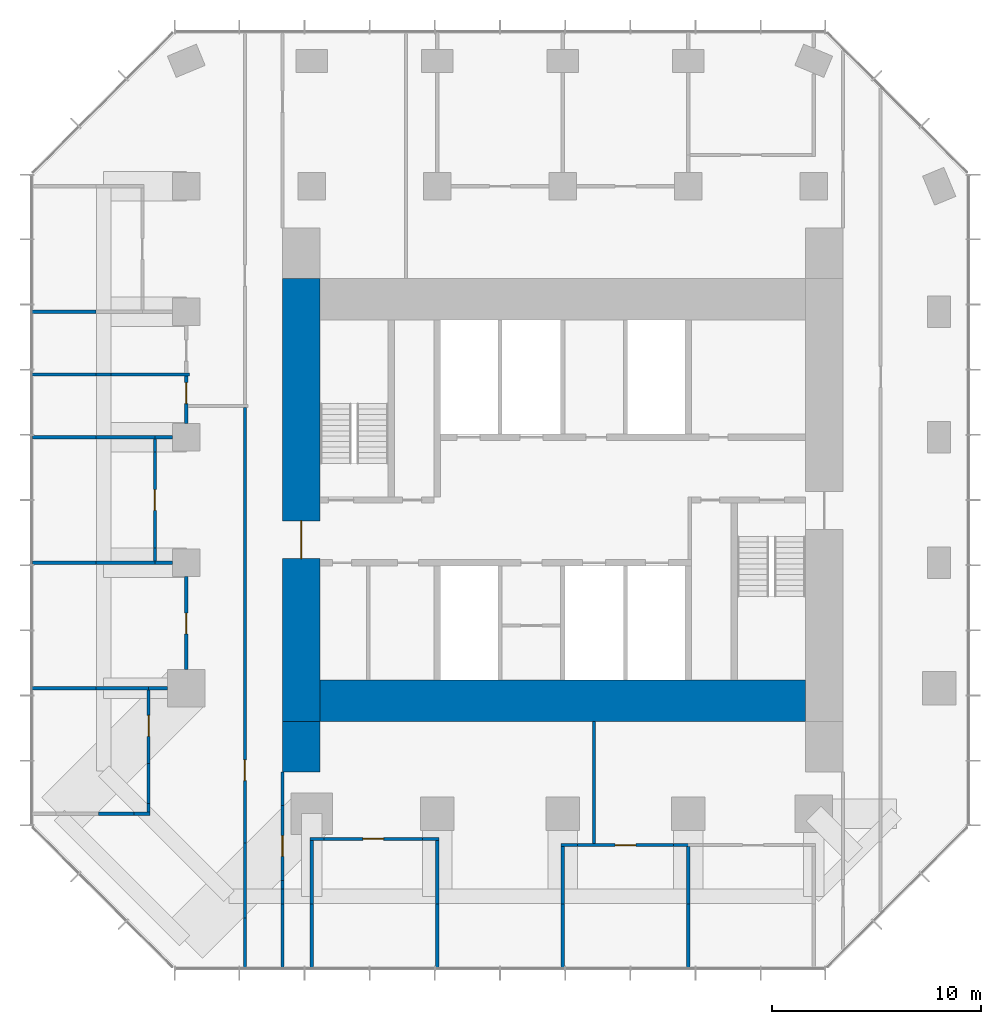
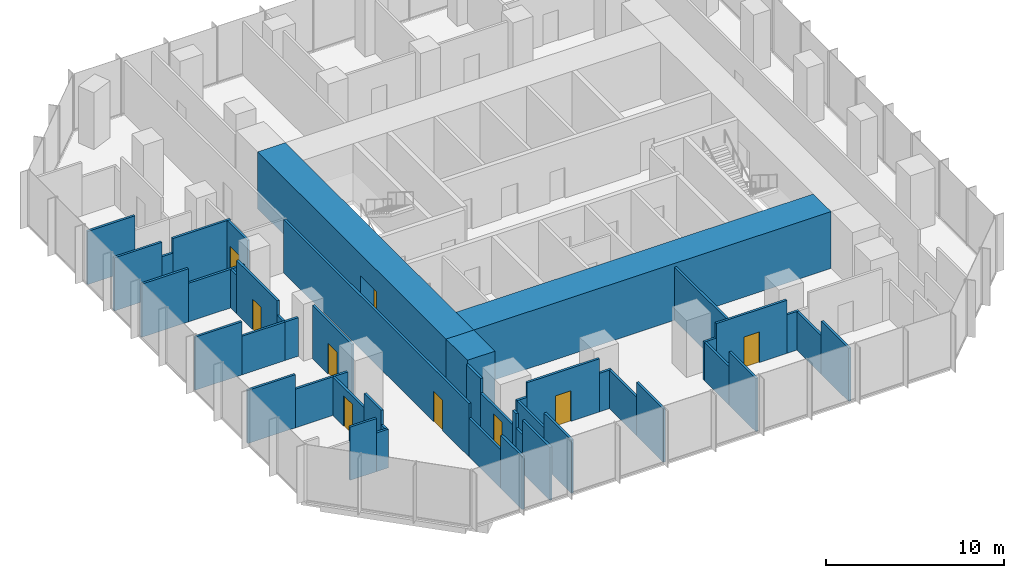
# One storey, part 8 of 11: 49 walls, 9 doors, 9 openings.
"""IFC4 building model written with IfcOpenShell, lengths in metres."""

from ifc_helpers import new_model, si_unit, direction, frame, frame_2d, origin, place, context, subcontext, project, spatial, rectangle, extrude, material, layer, layer_set, type_object, element, fill, save


model = new_model("IFC4")

# Units and contexts
model_context = context("Model", 3, precision=1e-05, world=origin(), true_north=direction((0.0, 1.0)))
body_context = subcontext(model_context, "Body", "Model", "MODEL_VIEW")
ifc_project = project(units=[si_unit("LENGTHUNIT", "METRE"), si_unit("AREAUNIT", "SQUARE_METRE"), si_unit("VOLUMEUNIT", "CUBIC_METRE"), si_unit("PLANEANGLEUNIT", "RADIAN"), si_unit("MASSUNIT", "GRAM", prefix="KILO")], contexts=[model_context])

# Site, building, storey
site_placement = place(None, origin())
site = spatial("IfcSite", under=ifc_project, at=site_placement, CompositionType="ELEMENT")
building_placement = place(site_placement, origin())
building = spatial("IfcBuilding", under=site, at=building_placement, Name="Highveld Stack Headquarters", CompositionType="ELEMENT")
storey_placement = place(building_placement, frame((0.0, 0.0, 220.10009765625)))
storey = spatial("IfcBuildingStorey", under=building, at=storey_placement, Name="L54", CompositionType="ELEMENT", Elevation=220.10009765625)

# Wall, opening, door
ifc_material_1 = material(Name="Concrete C60/75", Category="concrete")
ifc_layer_1 = layer(ifc_material_1, 1.800048828125)
ifc_layer_set_1 = layer_set([ifc_layer_1], Name="Concrete C60/75")
wall_type_1 = type_object("IfcWallType", Name="CORE WALL 1800 C60/75", PredefinedType="SHEAR", material=ifc_layer_set_1)
wall_1_placement = place(storey_placement, frame((-6.5, -7.60009765625, 0.0), z_axis=(0.0, 0.0, 1.0), x_axis=(0.0, 1.0, 0.0)))
wall_1 = element("IfcWall", 1, at=wall_1_placement, inside=storey, type_object=wall_type_1, Name="Core wall W L54", PredefinedType="SHEAR", context=body_context, shape_type="SweptSolid", body=[
    extrude(rectangle(XDim=21.2001953125, YDim=1.800048828125, at=frame_2d((10.60009765625, 0.0))), origin(), (0.0, 0.0, 1.0), 3.89990234375),
])
opening_1_placement = place(wall_1_placement, frame((7.800048828125, 0.0, 0.0)))
opening_1 = element("IfcOpeningElement", 2, at=opening_1_placement, cuts=wall_1, Name="Opening L54-01", PredefinedType="OPENING", context=body_context, shape_type="SweptSolid", body=[
    extrude(rectangle(XDim=1.800048828125, YDim=2.39990234375, at=frame_2d((0.89990234375, 1.199951171875))), frame((0.0, 0.909912109375, 0.0), z_axis=(0.0, -1.0, 0.0), x_axis=(1.0, 0.0, 0.0)), (0.0, 0.0, 1.0), 1.820068359375),
])
ifc_material_2 = material(Name="Steel fire door", Category="steel")
door_type_1 = type_object("IfcDoorType", Name="LOBBY FIRE DOOR D4 1800x2400", OperationType="DOUBLE_DOOR_SINGLE_SWING", PredefinedType="DOOR", material=ifc_material_2)
door_1_placement = place(opening_1_placement, origin())
door_1 = element("IfcDoor", 3, at=door_1_placement, inside=storey, type_object=door_type_1, Name="Core west door L54", OperationType="DOUBLE_DOOR_SINGLE_SWING", OverallHeight=2.39990234375, OverallWidth=1.800048828125, PredefinedType="DOOR", context=body_context, shape_type="SweptSolid", body=[
    extrude(rectangle(XDim=1.800048828125, YDim=2.39990234375, at=frame_2d((0.89990234375, 1.199951171875))), frame((0.0, 0.02490234375, 0.0), z_axis=(0.0, -1.0, 0.0), x_axis=(1.0, 0.0, 0.0)), (0.0, 0.0, 1.0), 0.050048828125),
])
fill(opening_1, door_1)

# Walls
ifc_material_3 = material(Name="Concrete C60/75", Category="concrete")
ifc_layer_2 = layer(ifc_material_3, 2.0)
ifc_layer_set_2 = layer_set([ifc_layer_2], Name="Concrete C60/75")
wall_type_2 = type_object("IfcWallType", Name="CORE WALL 2000 C60/75", PredefinedType="SHEAR", material=ifc_layer_set_2)
wall_2_placement = place(storey_placement, frame((-5.60009765625, -6.60009765625, 0.0), z_axis=(0.0, 0.0, 1.0), x_axis=(1.0, 0.0, 0.0)))
element("IfcWall", 4, at=wall_2_placement, inside=storey, type_object=wall_type_2, Name="Core wall S L54", PredefinedType="SHEAR", context=body_context, shape_type="SweptSolid", body=[
    extrude(rectangle(XDim=23.2001953125, YDim=2.0, at=frame_2d((11.60009765625, 0.0))), origin(), (0.0, 0.0, 1.0), 3.89990234375),
])
ifc_material_4 = material(Name="Concrete C60/75", Category="concrete")
ifc_layer_3 = layer(ifc_material_4, 1.800048828125)
ifc_layer_set_3 = layer_set([ifc_layer_3], Name="Concrete C60/75")
wall_type_3 = type_object("IfcWallType", Name="CORE WING WALL 1800 C60/75", PredefinedType="SHEAR", material=ifc_layer_set_3)
wall_3_placement = place(storey_placement, frame((-6.5, -10.0, 0.0), z_axis=(0.0, 0.0, 1.0), x_axis=(0.0, 1.0, 0.0)))
element("IfcWall", 5, at=wall_3_placement, inside=storey, type_object=wall_type_3, Name="Core wing wall WS L54", PredefinedType="SHEAR", context=body_context, shape_type="SweptSolid", body=[
    extrude(rectangle(XDim=2.39990234375, YDim=1.800048828125, at=frame_2d((1.199951171875, 0.0))), origin(), (0.0, 0.0, 1.0), 3.89990234375),
])
ifc_material_5 = material(Name="Gypsum plasterboard on steel studs", Category="steel")
ifc_layer_4 = layer(ifc_material_5, 0.14990234375)
ifc_layer_set_4 = layer_set([ifc_layer_4], Name="Gypsum plasterboard on steel studs")
wall_type_4 = type_object("IfcWallType", Name="PARTITION 150 PLASTERBOARD", PredefinedType="PARTITIONING", material=ifc_layer_set_4)
wall_4_placement = place(storey_placement, frame((5.925048828125, -13.5, 0.0), z_axis=(0.0, 0.0, 1.0), x_axis=(1.0, 0.0, 0.0)))
element("IfcWall", 6, at=wall_4_placement, inside=storey, type_object=wall_type_4, Name="Partition Quiet room L54", PredefinedType="PARTITIONING", context=body_context, shape_type="SweptSolid", body=[
    extrude(rectangle(XDim=0.784912109375, YDim=0.14990234375, at=frame_2d((0.392578125, 0.0))), origin(), (0.0, 0.0, 1.0), 2.64990234375),
])

# Wall, opening, door
wall_5_placement = place(storey_placement, frame((6.7099609375, -13.5, 0.0), z_axis=(0.0, 0.0, 1.0), x_axis=(1.0, 0.0, 0.0)))
wall_5 = element("IfcWall", 7, at=wall_5_placement, inside=storey, type_object=wall_type_4, Name="Partition Quiet room L54", PredefinedType="PARTITIONING", context=body_context, shape_type="SweptSolid", body=[
    extrude(rectangle(XDim=4.580078125, YDim=0.14990234375, at=frame_2d((2.2900390625, 0.0))), origin(), (0.0, 0.0, 1.0), 3.64990234375),
])
opening_2_placement = place(wall_5_placement, frame((1.7900390625, 0.0, 0.0)))
opening_2 = element("IfcOpeningElement", 8, at=opening_2_placement, cuts=wall_5, Name="Opening L54-14", PredefinedType="OPENING", context=body_context, shape_type="SweptSolid", body=[
    extrude(rectangle(XDim=1.0, YDim=2.10009765625, at=frame_2d((0.5, 1.050048828125))), frame((0.0, 0.0849609375, 0.0), z_axis=(0.0, -1.0, 0.0), x_axis=(1.0, 0.0, 0.0)), (0.0, 0.0, 1.0), 0.169921875),
])
ifc_material_6 = material(Name="Timber door, oiled ash", Category="wood")
door_type_2 = type_object("IfcDoorType", Name="ROOM DOOR D6 1000x2100", OperationType="SINGLE_SWING_LEFT", PredefinedType="DOOR", material=ifc_material_6)
door_2_placement = place(opening_2_placement, origin())
door_2 = element("IfcDoor", 9, at=door_2_placement, inside=storey, type_object=door_type_2, Name="Quiet room door 1 L54", OperationType="SINGLE_SWING_LEFT", OverallHeight=2.10009765625, OverallWidth=1.0, PredefinedType="DOOR", context=body_context, shape_type="SweptSolid", body=[
    extrude(rectangle(XDim=1.0, YDim=2.10009765625, at=frame_2d((0.5, 1.050048828125))), frame((0.0, 0.02490234375, 0.0), z_axis=(0.0, -1.0, 0.0), x_axis=(1.0, 0.0, 0.0)), (0.0, 0.0, 1.0), 0.050048828125),
])
fill(opening_2, door_2)

# Walls
wall_6_placement = place(storey_placement, frame((11.2900390625, -13.5, 0.0), z_axis=(0.0, 0.0, 1.0), x_axis=(1.0, 0.0, 0.0)))
element("IfcWall", 10, at=wall_6_placement, inside=storey, type_object=wall_type_4, Name="Partition Quiet room L54", PredefinedType="PARTITIONING", context=body_context, shape_type="SweptSolid", body=[
    extrude(rectangle(XDim=0.784912109375, YDim=0.14990234375, at=frame_2d((0.392578125, 0.0))), origin(), (0.0, 0.0, 1.0), 2.64990234375),
])
wall_7_placement = place(storey_placement, frame((-6.074951171875, -13.199951171875, 0.0), z_axis=(0.0, 0.0, 1.0), x_axis=(1.0, 0.0, 0.0)))
element("IfcWall", 11, at=wall_7_placement, inside=storey, type_object=wall_type_4, Name="Partition Tea kitchen L54", PredefinedType="PARTITIONING", context=body_context, shape_type="SweptSolid", body=[
    extrude(rectangle(XDim=0.6669921875, YDim=0.14990234375, at=frame_2d((0.33349609375, 0.0))), origin(), (0.0, 0.0, 1.0), 2.64990234375),
])

# Wall, opening, door
wall_8_placement = place(storey_placement, frame((-5.407958984375, -13.199951171875, 0.0), z_axis=(0.0, 0.0, 1.0), x_axis=(1.0, 0.0, 0.0)))
wall_8 = element("IfcWall", 12, at=wall_8_placement, inside=storey, type_object=wall_type_4, Name="Partition Tea kitchen L54", PredefinedType="PARTITIONING", context=body_context, shape_type="SweptSolid", body=[
    extrude(rectangle(XDim=4.697998046875, YDim=0.14990234375, at=frame_2d((2.34912109375, 0.0))), origin(), (0.0, 0.0, 1.0), 3.64990234375),
])
opening_3_placement = place(wall_8_placement, frame((1.84912109375, 0.0, 0.0)))
opening_3 = element("IfcOpeningElement", 13, at=opening_3_placement, cuts=wall_8, Name="Opening L54-13", PredefinedType="OPENING", context=body_context, shape_type="SweptSolid", body=[
    extrude(rectangle(XDim=1.0, YDim=2.10009765625, at=frame_2d((0.5, 1.050048828125))), frame((0.0, 0.0849609375, 0.0), z_axis=(0.0, -1.0, 0.0), x_axis=(1.0, 0.0, 0.0)), (0.0, 0.0, 1.0), 0.169921875),
])
door_3_placement = place(opening_3_placement, origin())
door_3 = element("IfcDoor", 14, at=door_3_placement, inside=storey, type_object=door_type_2, Name="Tea kitchen door 1 L54", OperationType="SINGLE_SWING_RIGHT", OverallHeight=2.10009765625, OverallWidth=1.0, PredefinedType="DOOR", context=body_context, shape_type="SweptSolid", body=[
    extrude(rectangle(XDim=1.0, YDim=2.10009765625, at=frame_2d((0.5, 1.050048828125))), frame((0.0, 0.02490234375, 0.0), z_axis=(0.0, -1.0, 0.0), x_axis=(1.0, 0.0, 0.0)), (0.0, 0.0, 1.0), 0.050048828125),
])
fill(opening_3, door_3)

# Walls
wall_9_placement = place(storey_placement, frame((-0.7099609375, -13.199951171875, 0.0), z_axis=(0.0, 0.0, 1.0), x_axis=(1.0, 0.0, 0.0)))
element("IfcWall", 15, at=wall_9_placement, inside=storey, type_object=wall_type_4, Name="Partition Tea kitchen L54", PredefinedType="PARTITIONING", context=body_context, shape_type="SweptSolid", body=[
    extrude(rectangle(XDim=0.784912109375, YDim=0.14990234375, at=frame_2d((0.392578125, 0.0))), origin(), (0.0, 0.0, 1.0), 2.64990234375),
])
wall_10_placement = place(storey_placement, frame((-16.2080078125, -12.0, 0.0), z_axis=(0.0, 0.0, 1.0), x_axis=(1.0, 0.0, 0.0)))
element("IfcWall", 16, at=wall_10_placement, inside=storey, type_object=wall_type_4, Name="Partition Print room L54", PredefinedType="PARTITIONING", context=body_context, shape_type="SweptSolid", body=[
    extrude(rectangle(XDim=1.718017578125, YDim=0.14990234375, at=frame_2d((0.85888671875, 0.0))), origin(), (0.0, 0.0, 1.0), 3.64990234375),
])
wall_11_placement = place(storey_placement, frame((-14.489990234375, -12.0, 0.0), z_axis=(0.0, 0.0, 1.0), x_axis=(1.0, 0.0, 0.0)))
element("IfcWall", 17, at=wall_11_placement, inside=storey, type_object=wall_type_4, Name="Partition Print room L54", PredefinedType="PARTITIONING", context=body_context, shape_type="SweptSolid", body=[
    extrude(rectangle(XDim=0.764892578125, YDim=0.14990234375, at=frame_2d((0.38232421875, 0.0))), origin(), (0.0, 0.0, 1.0), 2.64990234375),
])
wall_12_placement = place(storey_placement, frame((-19.39990234375, -6.0, 0.0), z_axis=(0.0, 0.0, 1.0), x_axis=(1.0, 0.0, 0.0)))
element("IfcWall", 18, at=wall_12_placement, inside=storey, type_object=wall_type_4, Name="Partition Office / Print room L54", PredefinedType="PARTITIONING", context=body_context, shape_type="SweptSolid", body=[
    extrude(rectangle(XDim=3.08984375, YDim=0.14990234375, at=frame_2d((1.544921875, 0.0))), origin(), (0.0, 0.0, 1.0), 3.64990234375),
])
wall_13_placement = place(storey_placement, frame((-16.31005859375, -6.0, 0.0), z_axis=(0.0, 0.0, 1.0), x_axis=(1.0, 0.0, 0.0)))
element("IfcWall", 19, at=wall_13_placement, inside=storey, type_object=wall_type_4, Name="Partition Office / Print room L54", PredefinedType="PARTITIONING", context=body_context, shape_type="SweptSolid", body=[
    extrude(rectangle(XDim=2.5849609375, YDim=0.14990234375, at=frame_2d((1.29248046875, 0.0))), origin(), (0.0, 0.0, 1.0), 2.64990234375),
])
wall_14_placement = place(storey_placement, frame((-13.800048828125, -6.0, 0.0), z_axis=(0.0, 0.0, 1.0), x_axis=(1.0, 0.0, 0.0)))
element("IfcWall", 20, at=wall_14_placement, inside=storey, type_object=wall_type_4, Name="Partition Office L54", PredefinedType="PARTITIONING", context=body_context, shape_type="SweptSolid", body=[
    extrude(rectangle(XDim=0.900146484375, YDim=0.14990234375, at=frame_2d((0.4501953125, 0.0))), origin(), (0.0, 0.0, 1.0), 2.64990234375),
])
wall_15_placement = place(storey_placement, frame((-19.35009765625, 0.0, 0.0), z_axis=(0.0, 0.0, 1.0), x_axis=(1.0, 0.0, 0.0)))
element("IfcWall", 21, at=wall_15_placement, inside=storey, type_object=wall_type_4, Name="Partition Office / Quiet room L54", PredefinedType="PARTITIONING", context=body_context, shape_type="SweptSolid", body=[
    extrude(rectangle(XDim=3.0400390625, YDim=0.14990234375, at=frame_2d((1.52001953125, 0.0))), origin(), (0.0, 0.0, 1.0), 3.64990234375),
])
wall_16_placement = place(storey_placement, frame((-16.31005859375, 0.0, 0.0), z_axis=(0.0, 0.0, 1.0), x_axis=(1.0, 0.0, 0.0)))
element("IfcWall", 22, at=wall_16_placement, inside=storey, type_object=wall_type_4, Name="Partition Office / Quiet room L54", PredefinedType="PARTITIONING", context=body_context, shape_type="SweptSolid", body=[
    extrude(rectangle(XDim=2.885009765625, YDim=0.14990234375, at=frame_2d((1.4423828125, 0.0))), origin(), (0.0, 0.0, 1.0), 2.64990234375),
])
wall_17_placement = place(storey_placement, frame((-13.5, 0.0, 0.0), z_axis=(0.0, 0.0, 1.0), x_axis=(1.0, 0.0, 0.0)))
element("IfcWall", 23, at=wall_17_placement, inside=storey, type_object=wall_type_4, Name="Partition Office L54", PredefinedType="PARTITIONING", context=body_context, shape_type="SweptSolid", body=[
    extrude(rectangle(XDim=0.85009765625, YDim=0.14990234375, at=frame_2d((0.425048828125, 0.0))), origin(), (0.0, 0.0, 1.0), 2.64990234375),
])
wall_18_placement = place(storey_placement, frame((-19.35009765625, 6.0, 0.0), z_axis=(0.0, 0.0, 1.0), x_axis=(1.0, 0.0, 0.0)))
element("IfcWall", 24, at=wall_18_placement, inside=storey, type_object=wall_type_4, Name="Partition Office / Quiet room L54", PredefinedType="PARTITIONING", context=body_context, shape_type="SweptSolid", body=[
    extrude(rectangle(XDim=3.0400390625, YDim=0.14990234375, at=frame_2d((1.52001953125, 0.0))), origin(), (0.0, 0.0, 1.0), 3.64990234375),
])
wall_19_placement = place(storey_placement, frame((-16.31005859375, 6.0, 0.0), z_axis=(0.0, 0.0, 1.0), x_axis=(1.0, 0.0, 0.0)))
element("IfcWall", 25, at=wall_19_placement, inside=storey, type_object=wall_type_4, Name="Partition Office / Quiet room L54", PredefinedType="PARTITIONING", context=body_context, shape_type="SweptSolid", body=[
    extrude(rectangle(XDim=2.885009765625, YDim=0.14990234375, at=frame_2d((1.4423828125, 0.0))), origin(), (0.0, 0.0, 1.0), 2.64990234375),
])
wall_20_placement = place(storey_placement, frame((-13.5, 6.0, 0.0), z_axis=(0.0, 0.0, 1.0), x_axis=(1.0, 0.0, 0.0)))
element("IfcWall", 26, at=wall_20_placement, inside=storey, type_object=wall_type_4, Name="Partition Office L54", PredefinedType="PARTITIONING", context=body_context, shape_type="SweptSolid", body=[
    extrude(rectangle(XDim=0.85009765625, YDim=0.14990234375, at=frame_2d((0.425048828125, 0.0))), origin(), (0.0, 0.0, 1.0), 2.64990234375),
])
wall_21_placement = place(storey_placement, frame((-19.39990234375, 9.0, 0.0), z_axis=(0.0, 0.0, 1.0), x_axis=(1.0, 0.0, 0.0)))
element("IfcWall", 27, at=wall_21_placement, inside=storey, type_object=wall_type_4, Name="Partition Office L54", PredefinedType="PARTITIONING", context=body_context, shape_type="SweptSolid", body=[
    extrude(rectangle(XDim=3.08984375, YDim=0.14990234375, at=frame_2d((1.544921875, 0.0))), origin(), (0.0, 0.0, 1.0), 3.64990234375),
])
wall_22_placement = place(storey_placement, frame((-16.31005859375, 9.0, 0.0), z_axis=(0.0, 0.0, 1.0), x_axis=(1.0, 0.0, 0.0)))
element("IfcWall", 28, at=wall_22_placement, inside=storey, type_object=wall_type_4, Name="Partition Office L54", PredefinedType="PARTITIONING", context=body_context, shape_type="SweptSolid", body=[
    extrude(rectangle(XDim=0.719970703125, YDim=0.14990234375, at=frame_2d((0.35986328125, 0.0))), origin(), (0.0, 0.0, 1.0), 2.64990234375),
])
wall_23_placement = place(storey_placement, frame((-15.590087890625, 9.0, 0.0), z_axis=(0.0, 0.0, 1.0), x_axis=(1.0, 0.0, 0.0)))
element("IfcWall", 29, at=wall_23_placement, inside=storey, type_object=wall_type_4, Name="Partition Office L54", PredefinedType="PARTITIONING", context=body_context, shape_type="SweptSolid", body=[
    extrude(rectangle(XDim=3.739990234375, YDim=0.14990234375, at=frame_2d((1.8701171875, 0.0))), origin(), (0.0, 0.0, 1.0), 3.64990234375),
])
wall_24_placement = place(storey_placement, frame((-19.39990234375, 12.0, 0.0), z_axis=(0.0, 0.0, 1.0), x_axis=(1.0, 0.0, 0.0)))
element("IfcWall", 30, at=wall_24_placement, inside=storey, type_object=wall_type_4, Name="Partition Focus room / Office L54", PredefinedType="PARTITIONING", context=body_context, shape_type="SweptSolid", body=[
    extrude(rectangle(XDim=3.08984375, YDim=0.14990234375, at=frame_2d((1.544921875, 0.0))), origin(), (0.0, 0.0, 1.0), 3.64990234375),
])
wall_25_placement = place(storey_placement, frame((-13.800048828125, -11.925048828125, 0.0), z_axis=(0.0, 0.0, 1.0), x_axis=(0.0, 1.0, 0.0)))
element("IfcWall", 31, at=wall_25_placement, inside=storey, type_object=wall_type_4, Name="Partition Print room L54", PredefinedType="PARTITIONING", context=body_context, shape_type="SweptSolid", body=[
    extrude(rectangle(XDim=0.4150390625, YDim=0.14990234375, at=frame_2d((0.20751953125, 0.0))), origin(), (0.0, 0.0, 1.0), 2.64990234375),
])
wall_26_placement = place(storey_placement, frame((-13.800048828125, -11.510009765625, 0.0), z_axis=(0.0, 0.0, 1.0), x_axis=(0.0, 1.0, 0.0)))
element("IfcWall", 32, at=wall_26_placement, inside=storey, type_object=wall_type_4, Name="Partition Print room L54", PredefinedType="PARTITIONING", context=body_context, shape_type="SweptSolid", body=[
    extrude(rectangle(XDim=1.91796875, YDim=0.14990234375, at=frame_2d((0.958984375, 0.0))), origin(), (0.0, 0.0, 1.0), 3.64990234375),
])

# Wall, opening, door
wall_27_placement = place(storey_placement, frame((-13.800048828125, -9.592041015625, 0.0), z_axis=(0.0, 0.0, 1.0), x_axis=(0.0, 1.0, 0.0)))
wall_27 = element("IfcWall", 33, at=wall_27_placement, inside=storey, type_object=wall_type_4, Name="Partition Print room L54", PredefinedType="PARTITIONING", context=body_context, shape_type="SweptSolid", body=[
    extrude(rectangle(XDim=3.51708984375, YDim=0.14990234375, at=frame_2d((1.758544921875, 0.0))), origin(), (0.0, 0.0, 1.0), 2.64990234375),
])
opening_4_placement = place(wall_27_placement, frame((1.2958984375, 0.0, 0.0)))
opening_4 = element("IfcOpeningElement", 34, at=opening_4_placement, cuts=wall_27, Name="Opening L54-16", PredefinedType="OPENING", context=body_context, shape_type="SweptSolid", body=[
    extrude(rectangle(XDim=1.0, YDim=2.10009765625, at=frame_2d((0.5, 1.050048828125))), frame((0.0, 0.0849609375, 0.0), z_axis=(0.0, -1.0, 0.0), x_axis=(1.0, 0.0, 0.0)), (0.0, 0.0, 1.0), 0.169921875),
])
door_4_placement = place(opening_4_placement, origin())
door_4 = element("IfcDoor", 35, at=door_4_placement, inside=storey, type_object=door_type_2, Name="Print room door 1 L54", OperationType="SINGLE_SWING_RIGHT", OverallHeight=2.10009765625, OverallWidth=1.0, PredefinedType="DOOR", context=body_context, shape_type="SweptSolid", body=[
    extrude(rectangle(XDim=1.0, YDim=2.10009765625, at=frame_2d((0.5, 1.050048828125))), frame((0.0, 0.02490234375, 0.0), z_axis=(0.0, -1.0, 0.0), x_axis=(1.0, 0.0, 0.0)), (0.0, 0.0, 1.0), 0.050048828125),
])
fill(opening_4, door_4)

# Wall
wall_28_placement = place(storey_placement, frame((-13.5, 0.074951171875, 0.0), z_axis=(0.0, 0.0, 1.0), x_axis=(0.0, 1.0, 0.0)))
element("IfcWall", 36, at=wall_28_placement, inside=storey, type_object=wall_type_4, Name="Partition Quiet room L54", PredefinedType="PARTITIONING", context=body_context, shape_type="SweptSolid", body=[
    extrude(rectangle(XDim=0.635009765625, YDim=0.14990234375, at=frame_2d((0.3173828125, 0.0))), origin(), (0.0, 0.0, 1.0), 2.64990234375),
])

# Wall, opening, door
wall_29_placement = place(storey_placement, frame((-13.5, 0.7099609375, 0.0), z_axis=(0.0, 0.0, 1.0), x_axis=(0.0, 1.0, 0.0)))
wall_29 = element("IfcWall", 37, at=wall_29_placement, inside=storey, type_object=wall_type_4, Name="Partition Quiet room L54", PredefinedType="PARTITIONING", context=body_context, shape_type="SweptSolid", body=[
    extrude(rectangle(XDim=4.580078125, YDim=0.14990234375, at=frame_2d((2.2900390625, 0.0))), origin(), (0.0, 0.0, 1.0), 3.64990234375),
])
opening_5_placement = place(wall_29_placement, frame((1.7900390625, 0.0, 0.0)))
opening_5 = element("IfcOpeningElement", 38, at=opening_5_placement, cuts=wall_29, Name="Opening L54-18", PredefinedType="OPENING", context=body_context, shape_type="SweptSolid", body=[
    extrude(rectangle(XDim=1.0, YDim=2.10009765625, at=frame_2d((0.5, 1.050048828125))), frame((0.0, 0.0849609375, 0.0), z_axis=(0.0, -1.0, 0.0), x_axis=(1.0, 0.0, 0.0)), (0.0, 0.0, 1.0), 0.169921875),
])
door_5_placement = place(opening_5_placement, origin())
door_5 = element("IfcDoor", 39, at=door_5_placement, inside=storey, type_object=door_type_2, Name="Quiet room door 1 L54", OperationType="SINGLE_SWING_LEFT", OverallHeight=2.10009765625, OverallWidth=1.0, PredefinedType="DOOR", context=body_context, shape_type="SweptSolid", body=[
    extrude(rectangle(XDim=1.0, YDim=2.10009765625, at=frame_2d((0.5, 1.050048828125))), frame((0.0, 0.02490234375, 0.0), z_axis=(0.0, -1.0, 0.0), x_axis=(1.0, 0.0, 0.0)), (0.0, 0.0, 1.0), 0.050048828125),
])
fill(opening_5, door_5)

# Wall
wall_30_placement = place(storey_placement, frame((-13.5, 5.2900390625, 0.0), z_axis=(0.0, 0.0, 1.0), x_axis=(0.0, 1.0, 0.0)))
element("IfcWall", 40, at=wall_30_placement, inside=storey, type_object=wall_type_4, Name="Partition Quiet room L54", PredefinedType="PARTITIONING", context=body_context, shape_type="SweptSolid", body=[
    extrude(rectangle(XDim=0.635009765625, YDim=0.14990234375, at=frame_2d((0.3173828125, 0.0))), origin(), (0.0, 0.0, 1.0), 2.64990234375),
])

# Wall, opening, door
wall_31_placement = place(storey_placement, frame((-12.0, -5.10009765625, 0.0), z_axis=(0.0, 0.0, 1.0), x_axis=(0.0, 1.0, 0.0)))
wall_31 = element("IfcWall", 41, at=wall_31_placement, inside=storey, type_object=wall_type_4, Name="Partition Office L54", PredefinedType="PARTITIONING", context=body_context, shape_type="SweptSolid", body=[
    extrude(rectangle(XDim=4.440185546875, YDim=0.14990234375, at=frame_2d((2.22021484375, 0.0))), origin(), (0.0, 0.0, 1.0), 3.64990234375),
])
opening_6_placement = place(wall_31_placement, frame((1.695068359375, 0.0, 0.0)))
opening_6 = element("IfcOpeningElement", 42, at=opening_6_placement, cuts=wall_31, Name="Opening L54-17", PredefinedType="OPENING", context=body_context, shape_type="SweptSolid", body=[
    extrude(rectangle(XDim=1.0, YDim=2.10009765625, at=frame_2d((0.5, 1.050048828125))), frame((0.0, 0.0849609375, 0.0), z_axis=(0.0, -1.0, 0.0), x_axis=(1.0, 0.0, 0.0)), (0.0, 0.0, 1.0), 0.169921875),
])
door_6_placement = place(opening_6_placement, origin())
door_6 = element("IfcDoor", 43, at=door_6_placement, inside=storey, type_object=door_type_2, Name="Office door 1 L54", OperationType="SINGLE_SWING_LEFT", OverallHeight=2.10009765625, OverallWidth=1.0, PredefinedType="DOOR", context=body_context, shape_type="SweptSolid", body=[
    extrude(rectangle(XDim=1.0, YDim=2.10009765625, at=frame_2d((0.5, 1.050048828125))), frame((0.0, 0.02490234375, 0.0), z_axis=(0.0, -1.0, 0.0), x_axis=(1.0, 0.0, 0.0)), (0.0, 0.0, 1.0), 0.050048828125),
])
fill(opening_6, door_6)

wall_32_placement = place(storey_placement, frame((-12.0, 6.659912109375, 0.0), z_axis=(0.0, 0.0, 1.0), x_axis=(0.0, 1.0, 0.0)))
wall_32 = element("IfcWall", 44, at=wall_32_placement, inside=storey, type_object=wall_type_4, Name="Partition Office L54", PredefinedType="PARTITIONING", context=body_context, shape_type="SweptSolid", body=[
    extrude(rectangle(XDim=2.26513671875, YDim=0.14990234375, at=frame_2d((1.132568359375, 0.0))), origin(), (0.0, 0.0, 1.0), 3.64990234375),
])
opening_7_placement = place(wall_32_placement, frame((0.949951171875, 0.0, 0.0)))
opening_7 = element("IfcOpeningElement", 45, at=opening_7_placement, cuts=wall_32, Name="Opening L54-19", PredefinedType="OPENING", context=body_context, shape_type="SweptSolid", body=[
    extrude(rectangle(XDim=1.0, YDim=2.10009765625, at=frame_2d((0.5, 1.050048828125))), frame((0.0, 0.0849609375, 0.0), z_axis=(0.0, -1.0, 0.0), x_axis=(1.0, 0.0, 0.0)), (0.0, 0.0, 1.0), 0.169921875),
])
door_7_placement = place(opening_7_placement, origin())
door_7 = element("IfcDoor", 46, at=door_7_placement, inside=storey, type_object=door_type_2, Name="Office door 1 L54", OperationType="SINGLE_SWING_RIGHT", OverallHeight=2.10009765625, OverallWidth=1.0, PredefinedType="DOOR", context=body_context, shape_type="SweptSolid", body=[
    extrude(rectangle(XDim=1.0, YDim=2.10009765625, at=frame_2d((0.5, 1.050048828125))), frame((0.0, 0.02490234375, 0.0), z_axis=(0.0, -1.0, 0.0), x_axis=(1.0, 0.0, 0.0)), (0.0, 0.0, 1.0), 0.050048828125),
])
fill(opening_7, door_7)

# Walls
wall_33_placement = place(storey_placement, frame((-6.0, -19.39990234375, 0.0), z_axis=(0.0, 0.0, 1.0), x_axis=(0.0, 1.0, 0.0)))
element("IfcWall", 47, at=wall_33_placement, inside=storey, type_object=wall_type_4, Name="Partition Tea kitchen L54", PredefinedType="PARTITIONING", context=body_context, shape_type="SweptSolid", body=[
    extrude(rectangle(XDim=3.08984375, YDim=0.14990234375, at=frame_2d((1.544921875, 0.0))), origin(), (0.0, 0.0, 1.0), 3.64990234375),
])
wall_34_placement = place(storey_placement, frame((-6.0, -16.31005859375, 0.0), z_axis=(0.0, 0.0, 1.0), x_axis=(0.0, 1.0, 0.0)))
element("IfcWall", 48, at=wall_34_placement, inside=storey, type_object=wall_type_4, Name="Partition Tea kitchen L54", PredefinedType="PARTITIONING", context=body_context, shape_type="SweptSolid", body=[
    extrude(rectangle(XDim=3.03515625, YDim=0.14990234375, at=frame_2d((1.517578125, 0.0))), origin(), (0.0, 0.0, 1.0), 2.64990234375),
])
wall_35_placement = place(storey_placement, frame((0.0, -19.35009765625, 0.0), z_axis=(0.0, 0.0, 1.0), x_axis=(0.0, 1.0, 0.0)))
element("IfcWall", 49, at=wall_35_placement, inside=storey, type_object=wall_type_4, Name="Partition Tea kitchen L54", PredefinedType="PARTITIONING", context=body_context, shape_type="SweptSolid", body=[
    extrude(rectangle(XDim=3.0400390625, YDim=0.14990234375, at=frame_2d((1.52001953125, 0.0))), origin(), (0.0, 0.0, 1.0), 3.64990234375),
])
wall_36_placement = place(storey_placement, frame((0.0, -16.31005859375, 0.0), z_axis=(0.0, 0.0, 1.0), x_axis=(0.0, 1.0, 0.0)))
element("IfcWall", 50, at=wall_36_placement, inside=storey, type_object=wall_type_4, Name="Partition Tea kitchen L54", PredefinedType="PARTITIONING", context=body_context, shape_type="SweptSolid", body=[
    extrude(rectangle(XDim=3.03515625, YDim=0.14990234375, at=frame_2d((1.517578125, 0.0))), origin(), (0.0, 0.0, 1.0), 2.64990234375),
])
wall_37_placement = place(storey_placement, frame((6.0, -19.35009765625, 0.0), z_axis=(0.0, 0.0, 1.0), x_axis=(0.0, 1.0, 0.0)))
element("IfcWall", 51, at=wall_37_placement, inside=storey, type_object=wall_type_4, Name="Partition Quiet room L54", PredefinedType="PARTITIONING", context=body_context, shape_type="SweptSolid", body=[
    extrude(rectangle(XDim=3.0400390625, YDim=0.14990234375, at=frame_2d((1.52001953125, 0.0))), origin(), (0.0, 0.0, 1.0), 3.64990234375),
])
wall_38_placement = place(storey_placement, frame((6.0, -16.31005859375, 0.0), z_axis=(0.0, 0.0, 1.0), x_axis=(0.0, 1.0, 0.0)))
element("IfcWall", 52, at=wall_38_placement, inside=storey, type_object=wall_type_4, Name="Partition Quiet room L54", PredefinedType="PARTITIONING", context=body_context, shape_type="SweptSolid", body=[
    extrude(rectangle(XDim=2.735107421875, YDim=0.14990234375, at=frame_2d((1.36767578125, 0.0))), origin(), (0.0, 0.0, 1.0), 2.64990234375),
])
wall_39_placement = place(storey_placement, frame((12.0, -19.39990234375, 0.0), z_axis=(0.0, 0.0, 1.0), x_axis=(0.0, 1.0, 0.0)))
element("IfcWall", 53, at=wall_39_placement, inside=storey, type_object=wall_type_4, Name="Partition Quiet room L54", PredefinedType="PARTITIONING", context=body_context, shape_type="SweptSolid", body=[
    extrude(rectangle(XDim=3.08984375, YDim=0.14990234375, at=frame_2d((1.544921875, 0.0))), origin(), (0.0, 0.0, 1.0), 3.64990234375),
])
wall_40_placement = place(storey_placement, frame((12.0, -16.31005859375, 0.0), z_axis=(0.0, 0.0, 1.0), x_axis=(0.0, 1.0, 0.0)))
element("IfcWall", 54, at=wall_40_placement, inside=storey, type_object=wall_type_4, Name="Partition Quiet room L54", PredefinedType="PARTITIONING", context=body_context, shape_type="SweptSolid", body=[
    extrude(rectangle(XDim=2.735107421875, YDim=0.14990234375, at=frame_2d((1.36767578125, 0.0))), origin(), (0.0, 0.0, 1.0), 2.64990234375),
])
wall_41_placement = place(storey_placement, frame((-9.199951171875, -19.39990234375, 0.0), z_axis=(0.0, 0.0, 1.0), x_axis=(0.0, 1.0, 0.0)))
element("IfcWall", 55, at=wall_41_placement, inside=storey, type_object=wall_type_4, Name="Partition office neighbourhood L54", PredefinedType="PARTITIONING", context=body_context, shape_type="SweptSolid", body=[
    extrude(rectangle(XDim=2.40771484375, YDim=0.14990234375, at=frame_2d((1.203857421875, 0.0))), origin(), (0.0, 0.0, 1.0), 3.64990234375),
])
wall_42_placement = place(storey_placement, frame((-9.199951171875, -16.9921875, 0.0), z_axis=(0.0, 0.0, 1.0), x_axis=(0.0, 1.0, 0.0)))
element("IfcWall", 56, at=wall_42_placement, inside=storey, type_object=wall_type_4, Name="Partition office neighbourhood L54", PredefinedType="PARTITIONING", context=body_context, shape_type="SweptSolid", body=[
    extrude(rectangle(XDim=3.584228515625, YDim=0.14990234375, at=frame_2d((1.7919921875, 0.0))), origin(), (0.0, 0.0, 1.0), 2.64990234375),
])

# Wall, opening, door
wall_43_placement = place(storey_placement, frame((-9.199951171875, -13.407958984375, 0.0), z_axis=(0.0, 0.0, 1.0), x_axis=(0.0, 1.0, 0.0)))
wall_43 = element("IfcWall", 57, at=wall_43_placement, inside=storey, type_object=wall_type_4, Name="Partition office neighbourhood L54", PredefinedType="PARTITIONING", context=body_context, shape_type="SweptSolid", body=[
    extrude(rectangle(XDim=20.8330078125, YDim=0.14990234375, at=frame_2d((10.41650390625, 0.0))), origin(), (0.0, 0.0, 1.0), 3.64990234375),
])
opening_8_placement = place(wall_43_placement, frame((2.98779296875, 0.0, 0.0)))
opening_8 = element("IfcOpeningElement", 58, at=opening_8_placement, cuts=wall_43, Name="Opening L54-27", PredefinedType="OPENING", context=body_context, shape_type="SweptSolid", body=[
    extrude(rectangle(XDim=1.0, YDim=2.10009765625, at=frame_2d((0.5, 1.050048828125))), frame((0.0, 0.0849609375, 0.0), z_axis=(0.0, -1.0, 0.0), x_axis=(1.0, 0.0, 0.0)), (0.0, 0.0, 1.0), 0.169921875),
])
door_8_placement = place(opening_8_placement, origin())
door_8 = element("IfcDoor", 59, at=door_8_placement, inside=storey, type_object=door_type_2, Name="Office neighbourhood door L54", OperationType="SINGLE_SWING_LEFT", OverallHeight=2.10009765625, OverallWidth=1.0, PredefinedType="DOOR", context=body_context, shape_type="SweptSolid", body=[
    extrude(rectangle(XDim=1.0, YDim=2.10009765625, at=frame_2d((0.5, 1.050048828125))), frame((0.0, 0.02490234375, 0.0), z_axis=(0.0, -1.0, 0.0), x_axis=(1.0, 0.0, 0.0)), (0.0, 0.0, 1.0), 0.050048828125),
])
fill(opening_8, door_8)

# Walls
wall_44_placement = place(storey_placement, frame((-7.39990234375, -19.39990234375, 0.0), z_axis=(0.0, 0.0, 1.0), x_axis=(0.0, 1.0, 0.0)))
element("IfcWall", 60, at=wall_44_placement, inside=storey, type_object=wall_type_4, Name="Partition office neighbourhood L54", PredefinedType="PARTITIONING", context=body_context, shape_type="SweptSolid", body=[
    extrude(rectangle(XDim=3.08984375, YDim=0.14990234375, at=frame_2d((1.544921875, 0.0))), origin(), (0.0, 0.0, 1.0), 3.64990234375),
])
wall_45_placement = place(storey_placement, frame((-7.39990234375, -16.31005859375, 0.0), z_axis=(0.0, 0.0, 1.0), x_axis=(0.0, 1.0, 0.0)))
element("IfcWall", 61, at=wall_45_placement, inside=storey, type_object=wall_type_4, Name="Partition office neighbourhood L54", PredefinedType="PARTITIONING", context=body_context, shape_type="SweptSolid", body=[
    extrude(rectangle(XDim=0.719970703125, YDim=0.14990234375, at=frame_2d((0.35986328125, 0.0))), origin(), (0.0, 0.0, 1.0), 2.64990234375),
])
wall_46_placement = place(storey_placement, frame((-7.39990234375, -15.590087890625, 0.0), z_axis=(0.0, 0.0, 1.0), x_axis=(0.0, 1.0, 0.0)))
element("IfcWall", 62, at=wall_46_placement, inside=storey, type_object=wall_type_4, Name="Partition office neighbourhood L54", PredefinedType="PARTITIONING", context=body_context, shape_type="SweptSolid", body=[
    extrude(rectangle(XDim=0.39794921875, YDim=0.14990234375, at=frame_2d((0.198974609375, 0.0))), origin(), (0.0, 0.0, 1.0), 3.64990234375),
])

# Wall, opening, door
wall_47_placement = place(storey_placement, frame((-7.39990234375, -15.192138671875, 0.0), z_axis=(0.0, 0.0, 1.0), x_axis=(0.0, 1.0, 0.0)))
wall_47 = element("IfcWall", 63, at=wall_47_placement, inside=storey, type_object=wall_type_4, Name="Partition office neighbourhood L54", PredefinedType="PARTITIONING", context=body_context, shape_type="SweptSolid", body=[
    extrude(rectangle(XDim=3.584228515625, YDim=0.14990234375, at=frame_2d((1.7919921875, 0.0))), origin(), (0.0, 0.0, 1.0), 2.64990234375),
])
opening_9_placement = place(wall_47_placement, frame((1.14990234375, 0.0, 0.0)))
opening_9 = element("IfcOpeningElement", 64, at=opening_9_placement, cuts=wall_47, Name="Opening L54-25", PredefinedType="OPENING", context=body_context, shape_type="SweptSolid", body=[
    extrude(rectangle(XDim=1.0, YDim=2.10009765625, at=frame_2d((0.5, 1.050048828125))), frame((0.0, 0.0849609375, 0.0), z_axis=(0.0, -1.0, 0.0), x_axis=(1.0, 0.0, 0.0)), (0.0, 0.0, 1.0), 0.169921875),
])
door_9_placement = place(opening_9_placement, origin())
door_9 = element("IfcDoor", 65, at=door_9_placement, inside=storey, type_object=door_type_2, Name="Office neighbourhood door L54", OperationType="SINGLE_SWING_LEFT", OverallHeight=2.10009765625, OverallWidth=1.0, PredefinedType="DOOR", context=body_context, shape_type="SweptSolid", body=[
    extrude(rectangle(XDim=1.0, YDim=2.10009765625, at=frame_2d((0.5, 1.050048828125))), frame((0.0, 0.02490234375, 0.0), z_axis=(0.0, -1.0, 0.0), x_axis=(1.0, 0.0, 0.0)), (0.0, 0.0, 1.0), 0.050048828125),
])
fill(opening_9, door_9)

# Walls
wall_48_placement = place(storey_placement, frame((-7.39990234375, -11.60791015625, 0.0), z_axis=(0.0, 0.0, 1.0), x_axis=(0.0, 1.0, 0.0)))
element("IfcWall", 66, at=wall_48_placement, inside=storey, type_object=wall_type_4, Name="Partition office neighbourhood L54", PredefinedType="PARTITIONING", context=body_context, shape_type="SweptSolid", body=[
    extrude(rectangle(XDim=1.60791015625, YDim=0.14990234375, at=frame_2d((0.803955078125, 0.0))), origin(), (0.0, 0.0, 1.0), 3.64990234375),
])
wall_49_placement = place(storey_placement, frame((7.5, -13.425048828125, 0.0), z_axis=(0.0, 0.0, 1.0), x_axis=(0.0, 1.0, 0.0)))
element("IfcWall", 67, at=wall_49_placement, inside=storey, type_object=wall_type_4, Name="Partition office neighbourhood L54", PredefinedType="PARTITIONING", context=body_context, shape_type="SweptSolid", body=[
    extrude(rectangle(XDim=5.824951171875, YDim=0.14990234375, at=frame_2d((2.91259765625, 0.0))), origin(), (0.0, 0.0, 1.0), 3.64990234375),
])

save(model, "model.ifc")
